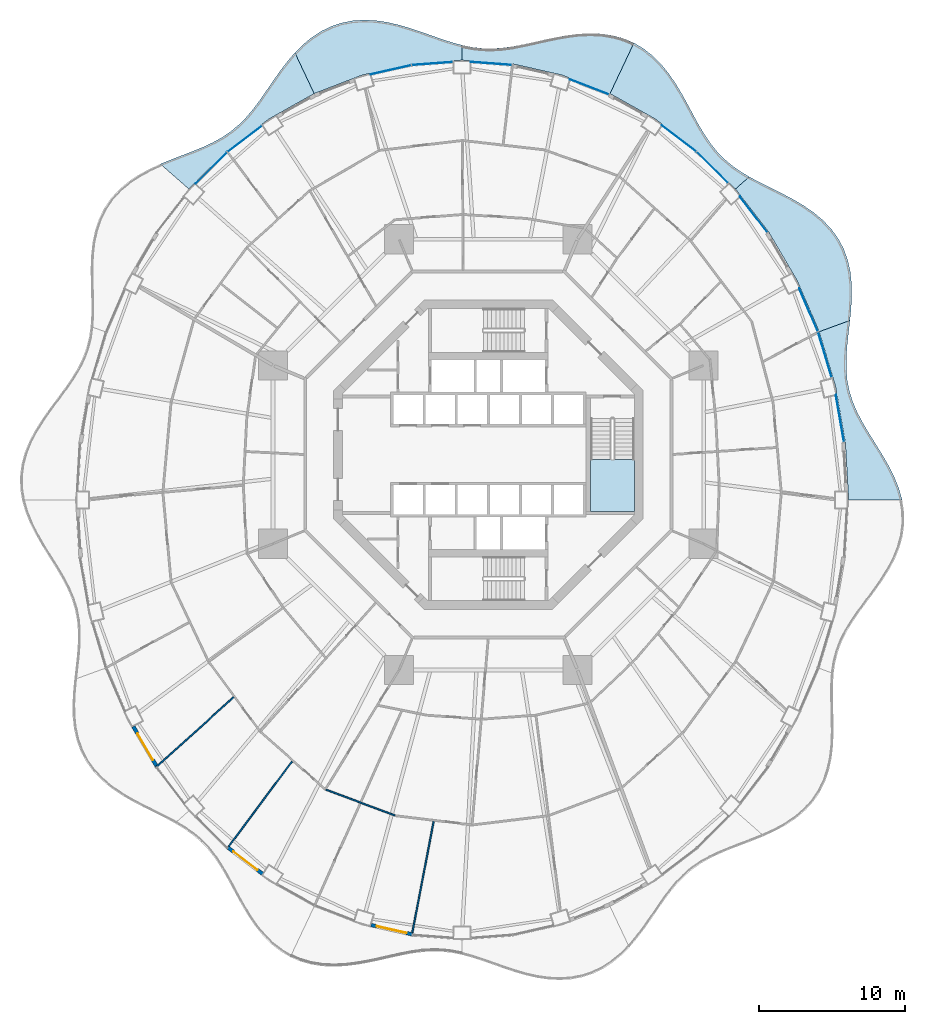
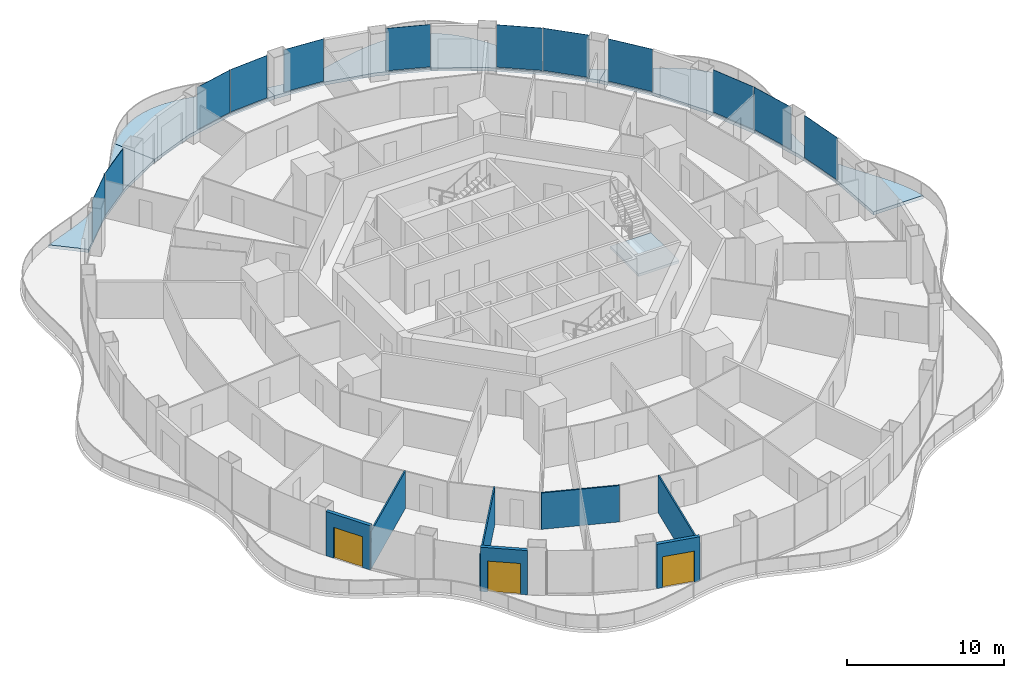
# One storey, part 10 of 19: 12 plates, 7 slabs, 7 walls, 3 doors, 3 openings, 13 elements without a shape of their own.
"""IFC4 building model written with IfcOpenShell, lengths in metres."""

from ifc_helpers import new_model, si_unit, direction, frame, frame_2d, origin, origin_2d, place, context, subcontext, project, spatial, polyline, rectangle, outline, extrude, material, layer, layer_set, type_object, element, fill, aggregate, save


model = new_model("IFC4")

# Units and contexts
model_context = context("Model", 3, precision=1e-05, world=origin(), true_north=direction((0.0, 1.0)))
body_context = subcontext(model_context, "Body", "Model", "MODEL_VIEW")
ifc_project = project(units=[si_unit("LENGTHUNIT", "METRE"), si_unit("AREAUNIT", "SQUARE_METRE"), si_unit("VOLUMEUNIT", "CUBIC_METRE"), si_unit("PLANEANGLEUNIT", "RADIAN"), si_unit("MASSUNIT", "GRAM", prefix="KILO")], contexts=[model_context])

# Site, building, storey
site_placement = place(None, origin())
site = spatial("IfcSite", under=ifc_project, at=site_placement, CompositionType="ELEMENT")
building_placement = place(site_placement, origin())
building = spatial("IfcBuilding", under=site, at=building_placement, Name="Nagisa Residences", CompositionType="ELEMENT")
storey_placement = place(building_placement, frame((0.0, 0.0, 127.0)))
storey = spatial("IfcBuildingStorey", under=building, at=storey_placement, Name="L31", CompositionType="ELEMENT", Elevation=127.0)

# Slabs
ifc_material_1 = material(Name="Concrete C40/50", Category="concrete")
ifc_layer_1 = layer(ifc_material_1, 0.25)
ifc_layer_set_1 = layer_set([ifc_layer_1], Name="BALCONY SLAB 250")
slab_type_1 = type_object("IfcSlabType", Name="BALCONY SLAB 250", PredefinedType="FLOOR", material=ifc_layer_set_1)
slab_1_placement = place(storey_placement, frame((0.0, 0.0, -0.25)))
element("IfcSlab", 1, at=slab_1_placement, inside=storey, type_object=slab_type_1, Name="slab:L31:bal00", PredefinedType="FLOOR", context=body_context, shape_type="SweptSolid", body=[
    extrude(outline(polyline([(28.409423828125, -3.11767578125), (28.17578125, -2.306884765625), (27.85107421875, -1.50927734375), (27.45654296875, -0.728515625), (27.015869140625, 0.033447265625), (26.55517578125, 0.777099609375), (26.100830078125, 1.50537109375), (25.677490234375, 2.22265625), (25.305908203125, 2.935546875), (25.002685546875, 3.651123046875), (24.778076171875, 4.376708984375), (24.63525390625, 5.11962890625), (24.571044921875, 5.885009765625), (24.57568359375, 6.676513671875), (24.633056640625, 7.49560546875), (24.723388671875, 8.33984375), (24.82275390625, 9.20458984375), (22.715087890625, 8.4375), (23.830810546875, 4.697265625), (24.508056640625, 0.823486328125), (24.735107421875, -3.11767578125), (28.409423828125, -3.11767578125)])), origin(), (0.0, 0.0, 1.0), 0.25),
])
slab_2_placement = place(storey_placement, frame((0.0, 0.0, -0.25)))
element("IfcSlab", 2, at=slab_2_placement, inside=storey, type_object=slab_type_1, Name="slab:L31:bal01", PredefinedType="FLOOR", context=body_context, shape_type="SweptSolid", body=[
    extrude(outline(polyline([(24.82275390625, 9.20458984375), (24.90380859375, 10.05517578125), (24.947509765625, 10.90869140625), (24.932861328125, 11.7548828125), (24.84228515625, 12.582275390625), (24.662353515625, 13.379638671875), (24.384521484375, 14.13623046875), (24.006591796875, 14.843505859375), (23.53125, 15.4951171875), (22.966552734375, 16.08837890625), (22.325927734375, 16.62353515625), (21.62548828125, 17.10498046875), (20.884765625, 17.5400390625), (20.123779296875, 17.939697265625), (19.36279296875, 18.3173828125), (18.620361328125, 18.68798828125), (17.91162109375, 19.06689453125), (16.963134765625, 18.2333984375), (19.251708984375, 15.263916015625), (21.179931640625, 11.979736328125), (22.715087890625, 8.4375), (24.82275390625, 9.20458984375)])), origin(), (0.0, 0.0, 1.0), 0.25),
])
slab_3_placement = place(storey_placement, frame((0.0, 0.0, -0.25)))
element("IfcSlab", 3, at=slab_3_placement, inside=storey, type_object=slab_type_1, Name="slab:L31:bal02", PredefinedType="FLOOR", context=body_context, shape_type="SweptSolid", body=[
    extrude(outline(polyline([(17.91162109375, 19.06689453125), (17.278564453125, 19.449951171875), (16.693359375, 19.865966796875), (16.158447265625, 20.323974609375), (15.671875, 20.830810546875), (15.228271484375, 21.388427734375), (14.81884765625, 21.996337890625), (14.432373046875, 22.64892578125), (14.0556640625, 23.337158203125), (13.675048828125, 24.048583984375), (13.27685546875, 24.767333984375), (12.8486328125, 25.47607421875), (12.38037109375, 26.15673828125), (11.86376953125, 26.790771484375), (11.294189453125, 27.361572265625), (10.670654296875, 27.8544921875), (9.99462890625, 28.25830078125), (8.3544921875, 24.77880859375), (11.467529296875, 23.031982421875), (14.353515625, 20.837646484375), (16.963134765625, 18.2333984375), (17.91162109375, 19.06689453125)])), origin(), (0.0, 0.0, 1.0), 0.25),
])
slab_4_placement = place(storey_placement, frame((0.0, 0.0, -0.25)))
element("IfcSlab", 4, at=slab_4_placement, inside=storey, type_object=slab_type_1, Name="slab:L31:bal03", PredefinedType="FLOOR", context=body_context, shape_type="SweptSolid", body=[
    extrude(outline(polyline([(9.99462890625, 28.25830078125), (9.2978515625, 28.556884765625), (8.563720703125, 28.763916015625), (7.800048828125, 28.8818359375), (7.015869140625, 28.916748046875), (6.220947265625, 28.87890625), (5.42431640625, 28.78173828125), (4.6337890625, 28.641357421875), (3.85595703125, 28.4755859375), (3.095458984375, 28.302978515625), (2.3544921875, 28.14111328125), (1.633056640625, 28.0068359375), (0.9296875, 27.91357421875), (0.239990234375, 27.87255859375), (-0.44091796875, 27.8896484375), (-1.11865234375, 27.96728515625), (-1.800048828125, 28.102783203125), (-1.800048828125, 27.077392578125), (1.66357421875, 26.819091796875), (5.06787109375, 26.04833984375), (8.3544921875, 24.77880859375), (9.99462890625, 28.25830078125)])), origin(), (0.0, 0.0, 1.0), 0.25),
])
slab_5_placement = place(storey_placement, frame((0.0, 0.0, -0.25)))
element("IfcSlab", 5, at=slab_5_placement, inside=storey, type_object=slab_type_1, Name="slab:L31:bal04", PredefinedType="FLOOR", context=body_context, shape_type="SweptSolid", body=[
    extrude(outline(polyline([(-1.800048828125, 28.102783203125), (-2.490234375, 28.28955078125), (-3.194580078125, 28.5166015625), (-3.915771484375, 28.76904296875), (-4.655517578125, 29.03076171875), (-5.413330078125, 29.28271484375), (-6.186279296875, 29.506103515625), (-6.969482421875, 29.682861328125), (-7.756591796875, 29.79638671875), (-8.539794921875, 29.8330078125), (-9.310791015625, 29.781982421875), (-10.060791015625, 29.637451171875), (-10.7822265625, 29.39697265625), (-11.46826171875, 29.063232421875), (-12.1142578125, 28.64306640625), (-12.717529296875, 28.146484375), (-13.278076171875, 27.587158203125), (-11.95458984375, 24.77880859375), (-8.667724609375, 26.04833984375), (-5.263427734375, 26.819091796875), (-1.800048828125, 27.077392578125), (-1.800048828125, 28.102783203125)])), origin(), (0.0, 0.0, 1.0), 0.25),
])
slab_6_placement = place(storey_placement, frame((0.0, 0.0, -0.25)))
element("IfcSlab", 6, at=slab_6_placement, inside=storey, type_object=slab_type_1, Name="slab:L31:bal05", PredefinedType="FLOOR", context=body_context, shape_type="SweptSolid", body=[
    extrude(outline(polyline([(-13.278076171875, 27.587158203125), (-13.8173828125, 26.957275390625), (-14.3193359375, 26.296142578125), (-14.79248046875, 25.623046875), (-15.247314453125, 24.956787109375), (-15.69580078125, 24.313720703125), (-16.150390625, 23.707763671875), (-16.623291015625, 23.14892578125), (-17.125244140625, 22.643310546875), (-17.664794921875, 22.192626953125), (-18.247314453125, 21.7939453125), (-18.875244140625, 21.44140625), (-19.547119140625, 21.12451171875), (-20.257568359375, 20.8310546875), (-20.99755859375, 20.54736328125), (-21.7548828125, 20.258056640625), (-22.51513671875, 19.948974609375), (-20.56298828125, 18.2333984375), (-17.953369140625, 20.837646484375), (-15.0673828125, 23.031982421875), (-11.95458984375, 24.77880859375), (-13.278076171875, 27.587158203125)])), origin(), (0.0, 0.0, 1.0), 0.25),
])

# Curtain wall, plate
ifc_material_2 = material(Name="Concrete-coloured aluminium curtain wall system", Category="concrete")
ifc_layer_2 = layer(ifc_material_2, 0.159912109375)
ifc_layer_set_2 = layer_set([ifc_layer_2], Name="CW1 CURTAIN WALL")
curtain_wall_type = type_object("IfcCurtainWallType", Name="CW1 CURTAIN WALL", PredefinedType="NOTDEFINED", material=ifc_layer_set_2)
curtain_wall_1_placement = place(storey_placement, origin())
curtain_wall_1 = element("IfcCurtainWall", 7, at=curtain_wall_1_placement, inside=storey, type_object=curtain_wall_type, Name="cw:CW1:L31:01", PredefinedType="NOTDEFINED")
ifc_material_3 = material(Name="Clear laminated glass", Category="glass")
ifc_layer_3 = layer(ifc_material_3, 0.028076171875)
ifc_layer_set_3 = layer_set([ifc_layer_3], Name="CW1 GLASS PANEL")
plate_type = type_object("IfcPlateType", Name="CW1 GLASS PANEL", PredefinedType="CURTAIN_PANEL", material=ifc_layer_set_3)
plate_1_placement = place(storey_placement, frame((24.13720703125, 2.480712890625, 0.14990234375), z_axis=(0.0, 0.0, 1.0), x_axis=(-0.172190868898, 0.985063604377, 0.0)))
plate_1 = element("IfcPlate", 8, at=plate_1_placement, type_object=plate_type, Name="CW1 panel", PredefinedType="CURTAIN_PANEL", context=body_context, shape_type="SweptSolid", body=[
    extrude(rectangle(XDim=3.2724609375, YDim=0.028076171875, at=origin_2d()), origin(), (0.0, 0.0, 1.0), 3.2900390625),
])
aggregate(curtain_wall_1, [plate_1])

curtain_wall_2_placement = place(storey_placement, origin())
curtain_wall_2 = element("IfcCurtainWall", 9, at=curtain_wall_2_placement, inside=storey, type_object=curtain_wall_type, Name="cw:CW1:L31:02", PredefinedType="NOTDEFINED")
plate_2_placement = place(storey_placement, frame((23.10205078125, 6.86083984375, 0.14990234375), z_axis=(0.0, 0.0, 1.0), x_axis=(-0.285860274038, 0.958271310082, 0.0)))
plate_2 = element("IfcPlate", 10, at=plate_2_placement, type_object=plate_type, Name="CW1 panel", PredefinedType="CURTAIN_PANEL", context=body_context, shape_type="SweptSolid", body=[
    extrude(rectangle(XDim=3.242919921875, YDim=0.028076171875, at=origin_2d()), origin(), (0.0, 0.0, 1.0), 3.2900390625),
])
aggregate(curtain_wall_2, [plate_2])

curtain_wall_3_placement = place(storey_placement, origin())
curtain_wall_3 = element("IfcCurtainWall", 11, at=curtain_wall_3_placement, inside=storey, type_object=curtain_wall_type, Name="cw:CW1:L31:03", PredefinedType="NOTDEFINED")
plate_3_placement = place(storey_placement, frame((21.9814453125, 9.928955078125, 0.14990234375), z_axis=(0.0, 0.0, 1.0), x_axis=(-0.397635934147, 0.917543276295, 0.0)))
plate_3 = element("IfcPlate", 12, at=plate_3_placement, type_object=plate_type, Name="CW1 panel", PredefinedType="CURTAIN_PANEL", context=body_context, shape_type="SweptSolid", body=[
    extrude(rectangle(XDim=3.20068359375, YDim=0.028076171875, at=origin_2d()), origin(), (0.0, 0.0, 1.0), 3.2900390625),
])
aggregate(curtain_wall_3, [plate_3])

curtain_wall_4_placement = place(storey_placement, origin())
curtain_wall_4 = element("IfcCurtainWall", 13, at=curtain_wall_4_placement, inside=storey, type_object=curtain_wall_type, Name="cw:CW1:L31:05", PredefinedType="NOTDEFINED")
plate_4_placement = place(storey_placement, frame((18.208740234375, 16.48583984375, 0.14990234375), z_axis=(0.0, 0.0, 1.0), x_axis=(-0.610429828235, 0.792070340816, 0.0)))
plate_4 = element("IfcPlate", 14, at=plate_4_placement, type_object=plate_type, Name="CW1 panel", PredefinedType="CURTAIN_PANEL", context=body_context, shape_type="SweptSolid", body=[
    extrude(rectangle(XDim=3.089111328125, YDim=0.028076171875, at=origin_2d()), origin(), (0.0, 0.0, 1.0), 3.2900390625),
])
aggregate(curtain_wall_4, [plate_4])

curtain_wall_5_placement = place(storey_placement, origin())
curtain_wall_5 = element("IfcCurtainWall", 15, at=curtain_wall_5_placement, inside=storey, type_object=curtain_wall_type, Name="cw:CW1:L31:06", PredefinedType="NOTDEFINED")
plate_5_placement = place(storey_placement, frame((15.3681640625, 19.7119140625, 0.14990234375), z_axis=(0.0, 0.0, 1.0), x_axis=(-0.707835924016, 0.706376885714, 0.0)))
plate_5 = element("IfcPlate", 16, at=plate_5_placement, type_object=plate_type, Name="CW1 panel", PredefinedType="CURTAIN_PANEL", context=body_context, shape_type="SweptSolid", body=[
    extrude(rectangle(XDim=3.026611328125, YDim=0.028076171875, at=origin_2d()), origin(), (0.0, 0.0, 1.0), 3.2900390625),
])
aggregate(curtain_wall_5, [plate_5])

curtain_wall_6_placement = place(storey_placement, origin())
curtain_wall_6 = element("IfcCurtainWall", 17, at=curtain_wall_6_placement, inside=storey, type_object=curtain_wall_type, Name="cw:CW1:L31:07", PredefinedType="NOTDEFINED")
plate_6_placement = place(storey_placement, frame((13.076904296875, 21.707763671875, 0.14990234375), z_axis=(0.0, 0.0, 1.0), x_axis=(-0.79603132756, 0.605255421737, 0.0)))
plate_6 = element("IfcPlate", 18, at=plate_6_placement, type_object=plate_type, Name="CW1 panel", PredefinedType="CURTAIN_PANEL", context=body_context, shape_type="SweptSolid", body=[
    extrude(rectangle(XDim=2.965576171875, YDim=0.028076171875, at=origin_2d()), origin(), (0.0, 0.0, 1.0), 3.2900390625),
])
aggregate(curtain_wall_6, [plate_6])

curtain_wall_7_placement = place(storey_placement, origin())
curtain_wall_7 = element("IfcCurtainWall", 19, at=curtain_wall_7_placement, inside=storey, type_object=curtain_wall_type, Name="cw:CW1:L31:09", PredefinedType="NOTDEFINED")
plate_7_placement = place(storey_placement, frame((6.93408203125, 25.24169921875, 0.14990234375), z_axis=(0.0, 0.0, 1.0), x_axis=(-0.932825759707, 0.360327770268, 0.0)))
plate_7 = element("IfcPlate", 20, at=plate_7_placement, type_object=plate_type, Name="CW1 panel", PredefinedType="CURTAIN_PANEL", context=body_context, shape_type="SweptSolid", body=[
    extrude(rectangle(XDim=2.863525390625, YDim=0.028076171875, at=origin_2d()), origin(), (0.0, 0.0, 1.0), 3.2900390625),
])
aggregate(curtain_wall_7, [plate_7])

curtain_wall_8_placement = place(storey_placement, origin())
curtain_wall_8 = element("IfcCurtainWall", 21, at=curtain_wall_8_placement, inside=storey, type_object=curtain_wall_type, Name="cw:CW1:L31:11", PredefinedType="NOTDEFINED")
plate_8_placement = place(storey_placement, frame((0.195068359375, 26.848388671875, 0.14990234375), z_axis=(0.0, 0.0, 1.0), x_axis=(-0.997230168512, 0.074377355493, 0.0)))
plate_8 = element("IfcPlate", 22, at=plate_8_placement, type_object=plate_type, Name="CW1 panel", PredefinedType="CURTAIN_PANEL", context=body_context, shape_type="SweptSolid", body=[
    extrude(rectangle(XDim=2.813232421875, YDim=0.028076171875, at=origin_2d()), origin(), (0.0, 0.0, 1.0), 3.2900390625),
])
aggregate(curtain_wall_8, [plate_8])

curtain_wall_9_placement = place(storey_placement, origin())
curtain_wall_9 = element("IfcCurtainWall", 23, at=curtain_wall_9_placement, inside=storey, type_object=curtain_wall_type, Name="cw:CW1:L31:12", PredefinedType="NOTDEFINED")
plate_9_placement = place(storey_placement, frame((-3.85498046875, 26.84375, 0.14990234375), z_axis=(0.0, 0.0, 1.0), x_axis=(-0.997230168512, -0.074377355493, 0.0)))
plate_9 = element("IfcPlate", 24, at=plate_9_placement, type_object=plate_type, Name="CW1 panel", PredefinedType="CURTAIN_PANEL", context=body_context, shape_type="SweptSolid", body=[
    extrude(rectangle(XDim=2.813232421875, YDim=0.028076171875, at=origin_2d()), origin(), (0.0, 0.0, 1.0), 3.2900390625),
])
aggregate(curtain_wall_9, [plate_9])

curtain_wall_10_placement = place(storey_placement, origin())
curtain_wall_10 = element("IfcCurtainWall", 25, at=curtain_wall_10_placement, inside=storey, type_object=curtain_wall_type, Name="cw:CW1:L31:13", PredefinedType="NOTDEFINED")
plate_10_placement = place(storey_placement, frame((-6.6845703125, 26.415283203125, 0.14990234375), z_axis=(0.0, 0.0, 1.0), x_axis=(-0.975327274089, -0.2207639201, 0.0)))
plate_10 = element("IfcPlate", 26, at=plate_10_placement, type_object=plate_type, Name="CW1 panel", PredefinedType="CURTAIN_PANEL", context=body_context, shape_type="SweptSolid", body=[
    extrude(rectangle(XDim=2.830322265625, YDim=0.028076171875, at=origin_2d()), origin(), (0.0, 0.0, 1.0), 3.2900390625),
])
aggregate(curtain_wall_10, [plate_10])

curtain_wall_11_placement = place(storey_placement, origin())
curtain_wall_11 = element("IfcCurtainWall", 27, at=curtain_wall_11_placement, inside=storey, type_object=curtain_wall_type, Name="cw:CW1:L31:16", PredefinedType="NOTDEFINED")
plate_11_placement = place(storey_placement, frame((-16.724853515625, 21.67138671875, 0.14990234375), z_axis=(0.0, 0.0, 1.0), x_axis=(-0.79603132756, -0.605255421737, 0.0)))
plate_11 = element("IfcPlate", 28, at=plate_11_placement, type_object=plate_type, Name="CW1 panel", PredefinedType="CURTAIN_PANEL", context=body_context, shape_type="SweptSolid", body=[
    extrude(rectangle(XDim=2.965576171875, YDim=0.028076171875, at=origin_2d()), origin(), (0.0, 0.0, 1.0), 3.2900390625),
])
aggregate(curtain_wall_11, [plate_11])

curtain_wall_12_placement = place(storey_placement, origin())
curtain_wall_12 = element("IfcCurtainWall", 29, at=curtain_wall_12_placement, inside=storey, type_object=curtain_wall_type, Name="cw:CW1:L31:17", PredefinedType="NOTDEFINED")
plate_12_placement = place(storey_placement, frame((-19.0107421875, 19.669677734375, 0.14990234375), z_axis=(0.0, 0.0, 1.0), x_axis=(-0.707835924016, -0.706376885714, 0.0)))
plate_12 = element("IfcPlate", 30, at=plate_12_placement, type_object=plate_type, Name="CW1 panel", PredefinedType="CURTAIN_PANEL", context=body_context, shape_type="SweptSolid", body=[
    extrude(rectangle(XDim=3.026611328125, YDim=0.028076171875, at=origin_2d()), origin(), (0.0, 0.0, 1.0), 3.2900390625),
])
aggregate(curtain_wall_12, [plate_12])

# Stair, slab
ifc_material_4 = material(Name="Concrete C60", Category="concrete")
stair_type = type_object("IfcStairType", Name="Exit stair", PredefinedType="HALF_TURN_STAIR", material=ifc_material_4)
stair_placement = place(storey_placement, origin())
stair = element("IfcStair", 31, at=stair_placement, inside=storey, type_object=stair_type, Name="L31 Exit stair E", PredefinedType="HALF_TURN_STAIR")
ifc_material_5 = material(Name="Concrete C60", Category="concrete")
ifc_layer_4 = layer(ifc_material_5, 0.199951171875)
ifc_layer_set_4 = layer_set([ifc_layer_4], Name="Stair landing")
slab_type_2 = type_object("IfcSlabType", Name="Stair landing", PredefinedType="LANDING", material=ifc_layer_set_4)
slab_7_placement = place(storey_placement, frame((0.0, 0.0, 1.64990234375)))
slab_7 = element("IfcSlab", 32, at=slab_7_placement, type_object=slab_type_2, Name="ST-E landing 1", PredefinedType="LANDING", context=body_context, shape_type="SweptSolid", body=[
    extrude(outline(polyline([(7.024658203125, -0.324951171875), (7.024658203125, -3.89990234375), (10.024658203125, -3.89990234375), (10.024658203125, -0.324951171875), (7.024658203125, -0.324951171875)])), origin(), (0.0, 0.0, 1.0), 0.2001953125),
])
aggregate(stair, [slab_7])

# Walls
ifc_material_6 = material(Name="Gypsum board on steel studs", Category="steel")
ifc_layer_5 = layer(ifc_material_6, 0.10009765625)
ifc_layer_set_5 = layer_set([ifc_layer_5], Name="Apartment partition 100")
wall_type_1 = type_object("IfcWallType", Name="Apartment partition 100", PredefinedType="PARTITIONING", material=ifc_layer_set_5)
wall_1_placement = place(storey_placement, frame((-17.4697265625, -16.6416015625, 0.0), z_axis=(0.0, 0.0, 1.0), x_axis=(-0.742345465337, -0.670017320742, 0.0)))
element("IfcWall", 33, at=wall_1_placement, inside=storey, type_object=wall_type_1, Name="wall:L31:u68", PredefinedType="PARTITIONING", context=body_context, shape_type="SweptSolid", body=[
    extrude(rectangle(XDim=7.2099609375, YDim=0.10009765625, at=frame_2d((3.60498046875, 0.0))), origin(), (0.0, 0.0, 1.0), 2.905029296875),
])
wall_2_placement = place(storey_placement, frame((-13.4541015625, -21.0400390625, 0.0), z_axis=(0.0, 0.0, 1.0), x_axis=(-0.597848033124, -0.801609461826, 0.0)))
element("IfcWall", 34, at=wall_2_placement, inside=storey, type_object=wall_type_1, Name="wall:L31:u71", PredefinedType="PARTITIONING", context=body_context, shape_type="SweptSolid", body=[
    extrude(rectangle(XDim=7.486083984375, YDim=0.10009765625, at=frame_2d((3.7431640625, 0.0))), origin(), (0.0, 0.0, 1.0), 2.905029296875),
])
wall_3_placement = place(storey_placement, frame((-11.142578125, -23.00439453125, 0.0), z_axis=(0.0, 0.0, 1.0), x_axis=(0.936721765635, -0.350074754567, 0.0)))
element("IfcWall", 35, at=wall_3_placement, inside=storey, type_object=wall_type_1, Name="wall:L31:u75", PredefinedType="PARTITIONING", context=body_context, shape_type="SweptSolid", body=[
    extrude(rectangle(XDim=5.052734375, YDim=0.10009765625, at=frame_2d((2.5263671875, 0.0))), origin(), (0.0, 0.0, 1.0), 2.827880859375),
])
wall_4_placement = place(storey_placement, frame((-3.748779296875, -25.15869140625, 0.0), z_axis=(0.0, 0.0, 1.0), x_axis=(-0.188392334675, -0.982093848996, 0.0)))
element("IfcWall", 36, at=wall_4_placement, inside=storey, type_object=wall_type_1, Name="wall:L31:u79", PredefinedType="PARTITIONING", context=body_context, shape_type="SweptSolid", body=[
    extrude(rectangle(XDim=7.999755859375, YDim=0.10009765625, at=frame_2d((4.0, 0.0))), origin(), (0.0, 0.0, 1.0), 2.905029296875),
])

# Wall, opening, door
ifc_material_7 = material(Name="Precast concrete C40/50", Category="concrete")
ifc_layer_6 = layer(ifc_material_7, 0.25)
ifc_layer_set_6 = layer_set([ifc_layer_6], Name="BALCONY DOOR WALL 250")
wall_type_2 = type_object("IfcWallType", Name="BALCONY DOOR WALL 250", PredefinedType="SOLIDWALL", material=ifc_layer_set_6)
wall_5_placement = place(storey_placement, frame((-22.743896484375, -21.43603515625, 0.0), z_axis=(0.0, 0.0, 1.0), x_axis=(-0.506314982873, 0.862348617508, 0.0)))
wall_5 = element("IfcWall", 37, at=wall_5_placement, inside=storey, type_object=wall_type_2, Name="wall:L31:bay28", PredefinedType="SOLIDWALL", context=body_context, shape_type="SweptSolid", body=[
    extrude(rectangle(XDim=3.20849609375, YDim=0.25, at=frame_2d((1.604248046875, 0.0))), origin(), (0.0, 0.0, 1.0), 3.43994140625),
])
opening_1_placement = place(wall_5_placement, frame((0.55419921875, 0.0, 0.0)))
opening_1 = element("IfcOpeningElement", 38, at=opening_1_placement, cuts=wall_5, Name="Opening BD-L31-10", PredefinedType="OPENING", context=body_context, shape_type="SweptSolid", body=[
    extrude(rectangle(XDim=2.10009765625, YDim=2.39990234375, at=frame_2d((1.050048828125, 1.199951171875))), frame((0.0, 0.135009765625, 0.0), z_axis=(0.0, -1.0, 0.0), x_axis=(1.0, 0.0, 0.0)), (0.0, 0.0, 1.0), 0.27001953125),
])
ifc_material_8 = material(Name="Aluminium and clear glass", Category="aluminium")
door_type = type_object("IfcDoorType", Name="BALCONY SLIDING DOOR 2100x2400", OperationType="SLIDING_TO_LEFT", PredefinedType="DOOR", material=ifc_material_8)
door_1_placement = place(opening_1_placement, origin())
door_1 = element("IfcDoor", 39, at=door_1_placement, inside=storey, type_object=door_type, Name="door:L31:bay28", OperationType="SLIDING_TO_LEFT", OverallHeight=2.39990234375, OverallWidth=2.10009765625, PredefinedType="DOOR", context=body_context, shape_type="SweptSolid", body=[
    extrude(rectangle(XDim=2.10009765625, YDim=2.39990234375, at=frame_2d((1.050048828125, 1.199951171875))), frame((0.0, 0.02490234375, 0.0), z_axis=(0.0, -1.0, 0.0), x_axis=(1.0, 0.0, 0.0)), (0.0, 0.0, 1.0), 0.050048828125),
])
fill(opening_1, door_1)

wall_6_placement = place(storey_placement, frame((-15.469482421875, -28.8046875, 0.0), z_axis=(0.0, 0.0, 1.0), x_axis=(-0.796022231079, 0.605267385233, 0.0)))
wall_6 = element("IfcWall", 40, at=wall_6_placement, inside=storey, type_object=wall_type_2, Name="wall:L31:bay31", PredefinedType="SOLIDWALL", context=body_context, shape_type="SweptSolid", body=[
    extrude(rectangle(XDim=3.025634765625, YDim=0.25, at=frame_2d((1.5126953125, 0.0))), origin(), (0.0, 0.0, 1.0), 3.43994140625),
])
opening_2_placement = place(wall_6_placement, frame((0.462646484375, 0.0, 0.0)))
opening_2 = element("IfcOpeningElement", 41, at=opening_2_placement, cuts=wall_6, Name="Opening BD-L31-11", PredefinedType="OPENING", context=body_context, shape_type="SweptSolid", body=[
    extrude(rectangle(XDim=2.10009765625, YDim=2.39990234375, at=frame_2d((1.050048828125, 1.199951171875))), frame((0.0, 0.135009765625, 0.0), z_axis=(0.0, -1.0, 0.0), x_axis=(1.0, 0.0, 0.0)), (0.0, 0.0, 1.0), 0.27001953125),
])
door_2_placement = place(opening_2_placement, origin())
door_2 = element("IfcDoor", 42, at=door_2_placement, inside=storey, type_object=door_type, Name="door:L31:bay31", OperationType="SLIDING_TO_LEFT", OverallHeight=2.39990234375, OverallWidth=2.10009765625, PredefinedType="DOOR", context=body_context, shape_type="SweptSolid", body=[
    extrude(rectangle(XDim=2.10009765625, YDim=2.39990234375, at=frame_2d((1.050048828125, 1.199951171875))), frame((0.0, 0.02490234375, 0.0), z_axis=(0.0, -1.0, 0.0), x_axis=(1.0, 0.0, 0.0)), (0.0, 0.0, 1.0), 0.050048828125),
])
fill(opening_2, door_2)

wall_7_placement = place(storey_placement, frame((-5.23583984375, -32.932373046875, 0.0), z_axis=(0.0, 0.0, 1.0), x_axis=(-0.975339035722, 0.220711951186, 0.0)))
wall_7 = element("IfcWall", 43, at=wall_7_placement, inside=storey, type_object=wall_type_2, Name="wall:L31:bay34", PredefinedType="SOLIDWALL", context=body_context, shape_type="SweptSolid", body=[
    extrude(rectangle(XDim=2.890380859375, YDim=0.25, at=frame_2d((1.4453125, 0.0))), origin(), (0.0, 0.0, 1.0), 3.43994140625),
])
opening_3_placement = place(wall_7_placement, frame((0.395263671875, 0.0, 0.0)))
opening_3 = element("IfcOpeningElement", 44, at=opening_3_placement, cuts=wall_7, Name="Opening BD-L31-12", PredefinedType="OPENING", context=body_context, shape_type="SweptSolid", body=[
    extrude(rectangle(XDim=2.10009765625, YDim=2.39990234375, at=frame_2d((1.050048828125, 1.199951171875))), frame((0.0, 0.135009765625, 0.0), z_axis=(0.0, -1.0, 0.0), x_axis=(1.0, 0.0, 0.0)), (0.0, 0.0, 1.0), 0.27001953125),
])
door_3_placement = place(opening_3_placement, origin())
door_3 = element("IfcDoor", 45, at=door_3_placement, inside=storey, type_object=door_type, Name="door:L31:bay34", OperationType="SLIDING_TO_LEFT", OverallHeight=2.39990234375, OverallWidth=2.10009765625, PredefinedType="DOOR", context=body_context, shape_type="SweptSolid", body=[
    extrude(rectangle(XDim=2.10009765625, YDim=2.39990234375, at=frame_2d((1.050048828125, 1.199951171875))), frame((0.0, 0.02490234375, 0.0), z_axis=(0.0, -1.0, 0.0), x_axis=(1.0, 0.0, 0.0)), (0.0, 0.0, 1.0), 0.050048828125),
])
fill(opening_3, door_3)

save(model, "model.ifc")
